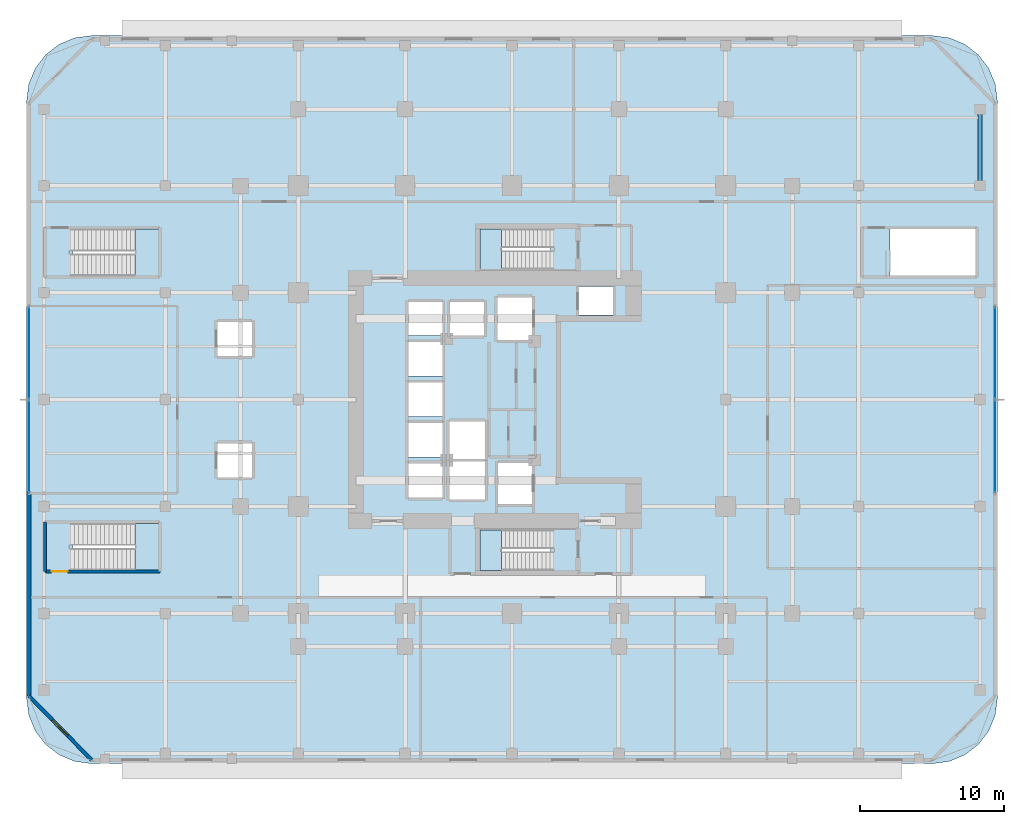
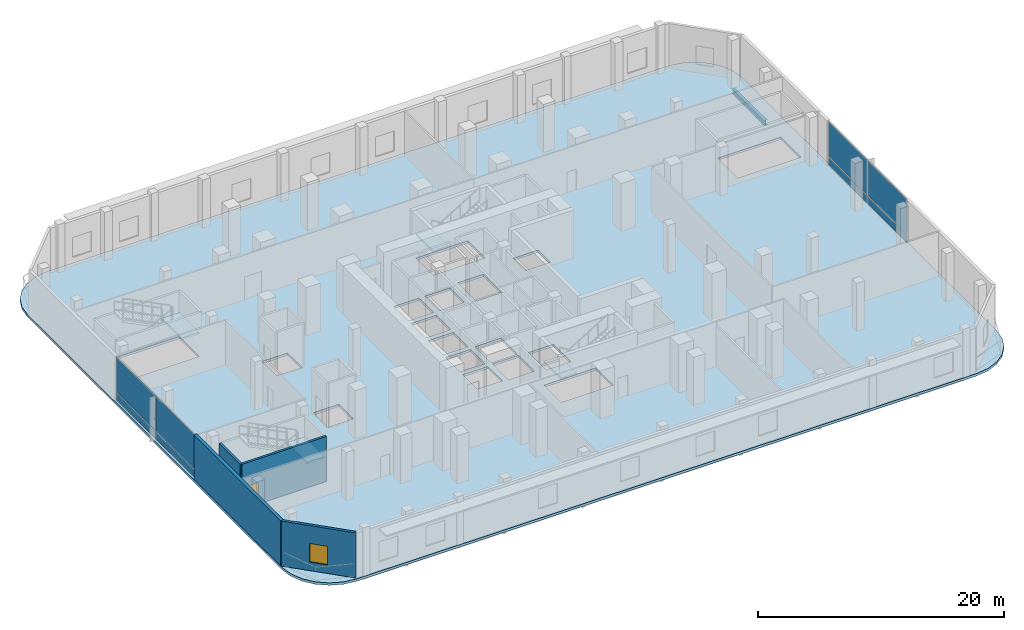
# One storey, part 7 of 19: 8 plates, 5 slabs, 4 walls, 1 beam, 1 door, 1 window, 2 openings, 6 elements without a shape of their own.
"""IFC4 building model written with IfcOpenShell, lengths in metres."""

from ifc_helpers import new_model, si_unit, direction, frame, frame_2d, origin, origin_2d, place, context, subcontext, project, spatial, polyline, rectangle, i_section, outline, extrude, material, layer, layer_set, material_profile, profile_set, type_object, element, fill, aggregate, save


model = new_model("IFC4")

# Units and contexts
model_context = context("Model", 3, precision=1e-05, world=origin(), true_north=direction((0.0, 1.0)))
body_context = subcontext(model_context, "Body", "Model", "MODEL_VIEW")
ifc_project = project(units=[si_unit("LENGTHUNIT", "METRE"), si_unit("AREAUNIT", "SQUARE_METRE"), si_unit("VOLUMEUNIT", "CUBIC_METRE"), si_unit("PLANEANGLEUNIT", "RADIAN"), si_unit("MASSUNIT", "GRAM", prefix="KILO")], contexts=[model_context])

# Site, building, storey
site_placement = place(None, origin())
site = spatial("IfcSite", under=ifc_project, at=site_placement, CompositionType="ELEMENT")
building_placement = place(site_placement, origin())
building = spatial("IfcBuilding", under=site, at=building_placement, Name="Khorvyn Point Tower", CompositionType="ELEMENT")
storey_placement = place(building_placement, frame((0.0, 0.0, 21.60009765625)))
storey = spatial("IfcBuildingStorey", under=building, at=storey_placement, Name="L06", CompositionType="ELEMENT", Elevation=21.60009765625)

# Beam
ifc_material_1 = material(Name="Steel S355", Category="steel")
ifc_material_profile = material_profile(ifc_material_1, i_section(OverallWidth=0.300048828125, OverallDepth=0.488037109375, WebThickness=0.010986328125, FlangeThickness=0.01806640625, at=origin_2d()))
ifc_profile_set = profile_set([ifc_material_profile], Name="Steel S355 H488x300x11x18")
beam_type = type_object("IfcBeamType", Name="Steel S355 Spandrel H488x300x11x18", PredefinedType="SPANDREL", material=ifc_profile_set)
beam_placement = place(storey_placement, frame((32.39990234375, 14.800048828125, -0.484130859375), z_axis=(0.0, 1.0, 0.0), x_axis=(-1.0, 0.0, 0.0)))
element("IfcBeam", 1, at=beam_placement, inside=storey, type_object=beam_type, Name="Beam", PredefinedType="SPANDREL", context=body_context, shape_type="SweptSolid", body=[
    extrude(i_section(OverallWidth=0.300048828125, OverallDepth=0.488037109375, WebThickness=0.010986328125, FlangeThickness=0.01806640625, at=origin_2d()), origin(), (0.0, 0.0, 1.0), 5.300048828125),
])

# Slab
ifc_material_2 = material(Name="Concrete C35/45", Category="concrete")
ifc_layer_1 = layer(ifc_material_2, 0.239990234375)
ifc_layer_set_1 = layer_set([ifc_layer_1], Name="Concrete C35/45 Structural Floor Slab 240")
slab_type_1 = type_object("IfcSlabType", Name="Concrete C35/45 Structural Floor Slab 240", PredefinedType="FLOOR", material=ifc_layer_set_1)
slab_1_placement = place(storey_placement, frame((0.0, 0.0, -0.239990234375)))
element("IfcSlab", 2, at=slab_1_placement, inside=storey, type_object=slab_type_1, Name="L06 Main Structural Floor Slab", PredefinedType="FLOOR", context=body_context, shape_type="SweptSolid", body=[
    extrude(outline(polyline([(-29.10009765625, -25.199951171875), (-30.2646484375, -25.046630859375), (-31.35009765625, -24.59716796875), (-32.281982421875, -23.882080078125), (-32.9970703125, -22.949951171875), (-33.44677734375, -21.86474609375), (-33.60009765625, -20.699951171875), (-33.60009765625, 20.699951171875), (-33.44677734375, 21.86474609375), (-32.9970703125, 22.949951171875), (-32.281982421875, 23.882080078125), (-31.35009765625, 24.59716796875), (-30.2646484375, 25.046630859375), (-29.10009765625, 25.199951171875), (29.10009765625, 25.199951171875), (30.2646484375, 25.046630859375), (31.35009765625, 24.59716796875), (32.281982421875, 23.882080078125), (32.9970703125, 22.949951171875), (33.44677734375, 21.86474609375), (33.60009765625, 20.699951171875), (33.60009765625, -20.699951171875), (33.44677734375, -21.86474609375), (32.9970703125, -22.949951171875), (32.281982421875, -23.882080078125), (31.35009765625, -24.59716796875), (30.2646484375, -25.046630859375), (29.10009765625, -25.199951171875), (-29.10009765625, -25.199951171875)]), holes=[polyline([(-30.3798828125, -11.820068359375), (-24.449951171875, -11.820068359375), (-24.449951171875, -8.56005859375), (-30.3798828125, -8.56005859375), (-30.3798828125, -11.820068359375)]), polyline([(-7.175048828125, -6.77490234375), (-4.824951171875, -6.77490234375), (-4.824951171875, -4.425048828125), (-7.175048828125, -4.425048828125), (-7.175048828125, -6.77490234375)]), polyline([(-20.39990234375, -5.375), (-18.0, -5.375), (-18.0, -3.02490234375), (-20.39990234375, -3.02490234375), (-20.39990234375, -5.375)]), polyline([(-7.175048828125, -3.97509765625), (-4.824951171875, -3.97509765625), (-4.824951171875, -1.625), (-7.175048828125, -1.625), (-7.175048828125, -3.97509765625)]), polyline([(-7.175048828125, -1.175048828125), (-4.824951171875, -1.175048828125), (-4.824951171875, 1.175048828125), (-7.175048828125, 1.175048828125), (-7.175048828125, -1.175048828125)]), polyline([(-7.175048828125, 1.625), (-4.824951171875, 1.625), (-4.824951171875, 3.97509765625), (-7.175048828125, 3.97509765625), (-7.175048828125, 1.625)]), polyline([(-20.39990234375, 3.02490234375), (-18.0, 3.02490234375), (-18.0, 5.375), (-20.39990234375, 5.375), (-20.39990234375, 3.02490234375)]), polyline([(-7.175048828125, 6.77490234375), (-7.175048828125, 4.425048828125), (-4.824951171875, 4.425048828125), (-4.824951171875, 6.77490234375), (-7.175048828125, 6.77490234375)]), polyline([(-30.3798828125, 11.820068359375), (-30.3798828125, 8.56005859375), (-24.449951171875, 8.56005859375), (-24.449951171875, 11.820068359375), (-30.3798828125, 11.820068359375)]), polyline([(-2.199951171875, -11.820068359375), (2.679931640625, -11.820068359375), (2.679931640625, -9.02001953125), (-2.199951171875, -9.02001953125), (-2.199951171875, -11.820068359375)]), polyline([(-0.97509765625, -7.22509765625), (1.375, -7.22509765625), (1.375, -4.375), (-0.97509765625, -4.375), (-0.97509765625, -7.22509765625)]), polyline([(-4.324951171875, -6.89990234375), (-1.875, -6.89990234375), (-1.875, -4.300048828125), (-4.324951171875, -4.300048828125), (-4.324951171875, -6.89990234375)]), polyline([(-4.324951171875, -4.10009765625), (-1.875, -4.10009765625), (-1.875, -1.5), (-4.324951171875, -1.5), (-4.324951171875, -4.10009765625)]), polyline([(-4.27490234375, 4.425048828125), (-1.925048828125, 4.425048828125), (-1.925048828125, 6.77490234375), (-4.27490234375, 6.77490234375), (-4.27490234375, 4.425048828125)]), polyline([(-1.0, 4.125), (1.39990234375, 4.125), (1.39990234375, 7.074951171875), (-1.0, 7.074951171875), (-1.0, 4.125)]), polyline([(4.625, 5.85009765625), (6.97509765625, 5.85009765625), (6.97509765625, 7.830078125), (4.625, 7.830078125), (4.625, 5.85009765625)]), polyline([(26.169921875, 11.820068359375), (26.169921875, 8.56005859375), (32.10009765625, 8.56005859375), (32.10009765625, 11.820068359375), (26.169921875, 11.820068359375)]), polyline([(-2.199951171875, 11.820068359375), (-2.199951171875, 9.02001953125), (2.679931640625, 9.02001953125), (2.679931640625, 11.820068359375), (-2.199951171875, 11.820068359375)])]), origin(), (0.0, 0.0, 1.0), 0.239990234375),
])

# Stair, slab
ifc_material_3 = material(Name="Concrete C40/50", Category="concrete")
stair_type_1 = type_object("IfcStairType", Name="Tower Concrete C40/50 Dogleg Exit Stair", PredefinedType="HALF_TURN_STAIR", material=ifc_material_3)
stair_1_placement = place(storey_placement, origin())
stair_1 = element("IfcStair", 3, at=stair_1_placement, inside=storey, type_object=stair_type_1, Name="L06 Tower Smokeproof Exit Stair South", PredefinedType="HALF_TURN_STAIR")
ifc_layer_2 = layer(ifc_material_3, 0.199951171875)
ifc_layer_set_2 = layer_set([ifc_layer_2], Name="Concrete C40/50 Stair Landing Slab 200")
slab_type_2 = type_object("IfcSlabType", Name="Concrete C40/50 Stair Landing Slab 200", PredefinedType="LANDING", material=ifc_layer_set_2)
slab_2_placement = place(storey_placement, frame((0.0, 0.0, 2.199951171875)))
slab_2 = element("IfcSlab", 4, at=slab_2_placement, type_object=slab_type_2, Name="ST-01 landing 1", PredefinedType="LANDING", context=body_context, shape_type="SweptSolid", body=[
    extrude(outline(polyline([(-0.739990234375, -9.02001953125), (-2.199951171875, -9.02001953125), (-2.199951171875, -11.820068359375), (-0.739990234375, -11.820068359375), (-0.739990234375, -9.02001953125)])), origin(), (0.0, 0.0, 1.0), 0.199951171875),
])
aggregate(stair_1, [slab_2])

stair_2_placement = place(storey_placement, origin())
stair_2 = element("IfcStair", 5, at=stair_2_placement, inside=storey, type_object=stair_type_1, Name="L06 Tower Smokeproof Exit Stair North", PredefinedType="HALF_TURN_STAIR")
slab_3_placement = place(storey_placement, frame((0.0, 0.0, 2.199951171875)))
slab_3 = element("IfcSlab", 6, at=slab_3_placement, type_object=slab_type_2, Name="ST-02 landing 1", PredefinedType="LANDING", context=body_context, shape_type="SweptSolid", body=[
    extrude(outline(polyline([(-0.739990234375, 11.820068359375), (-2.199951171875, 11.820068359375), (-2.199951171875, 9.02001953125), (-0.739990234375, 9.02001953125), (-0.739990234375, 11.820068359375)])), origin(), (0.0, 0.0, 1.0), 0.199951171875),
])
aggregate(stair_2, [slab_3])

stair_type_2 = type_object("IfcStairType", Name="School Podium Concrete C40/50 Wide Exit Stair", PredefinedType="HALF_TURN_STAIR", material=ifc_material_3)
stair_3_placement = place(storey_placement, origin())
stair_3 = element("IfcStair", 7, at=stair_3_placement, inside=storey, type_object=stair_type_2, Name="L06 School Podium Smokeproof Stair Southwest", PredefinedType="HALF_TURN_STAIR")
slab_4_placement = place(storey_placement, frame((0.0, 0.0, 2.199951171875)))
slab_4 = element("IfcSlab", 8, at=slab_4_placement, type_object=slab_type_2, Name="ST-S1 landing 1", PredefinedType="LANDING", context=body_context, shape_type="SweptSolid", body=[
    extrude(outline(polyline([(-26.10009765625, -11.820068359375), (-24.449951171875, -11.820068359375), (-24.449951171875, -8.56005859375), (-26.10009765625, -8.56005859375), (-26.10009765625, -11.820068359375)])), origin(), (0.0, 0.0, 1.0), 0.199951171875),
])
aggregate(stair_3, [slab_4])

stair_4_placement = place(storey_placement, origin())
stair_4 = element("IfcStair", 9, at=stair_4_placement, inside=storey, type_object=stair_type_2, Name="L06 School Podium Smokeproof Stair Northwest", PredefinedType="HALF_TURN_STAIR")
slab_5_placement = place(storey_placement, frame((0.0, 0.0, 2.199951171875)))
slab_5 = element("IfcSlab", 10, at=slab_5_placement, type_object=slab_type_2, Name="ST-S2 landing 1", PredefinedType="LANDING", context=body_context, shape_type="SweptSolid", body=[
    extrude(outline(polyline([(-26.10009765625, 8.56005859375), (-24.449951171875, 8.56005859375), (-24.449951171875, 11.820068359375), (-26.10009765625, 11.820068359375), (-26.10009765625, 8.56005859375)])), origin(), (0.0, 0.0, 1.0), 0.199951171875),
])
aggregate(stair_4, [slab_5])

# Curtain wall, plates
ifc_material_4 = material(Name="Anodised aluminium 6063-T6 and laminated Low-E glass", Category="aluminium")
ifc_layer_3 = layer(ifc_material_4, 0.18994140625)
ifc_layer_set_3 = layer_set([ifc_layer_3], Name="Stick-Built Low-E Podium Curtain Wall CW-SYS-01")
curtain_wall_type = type_object("IfcCurtainWallType", Name="Stick-Built Low-E Podium Curtain Wall CW-SYS-01", PredefinedType="NOTDEFINED", material=ifc_layer_set_3)
curtain_wall_1_placement = place(storey_placement, origin())
curtain_wall_1 = element("IfcCurtainWall", 11, at=curtain_wall_1_placement, inside=storey, type_object=curtain_wall_type, Name="Curtain Wall", PredefinedType="NOTDEFINED")
ifc_material_5 = material(Name="Pale anodised aluminium 5005", Category="aluminium")
ifc_layer_4 = layer(ifc_material_5, 0.0400390625)
ifc_layer_set_4 = layer_set([ifc_layer_4], Name="Pale Champagne Aluminium Insulated Spandrel Panel CW-SP40")
plate_type_1 = type_object("IfcPlateType", Name="Pale Champagne Aluminium Insulated Spandrel Panel CW-SP40", PredefinedType="SHEET", material=ifc_layer_set_4)
plate_1_placement = place(storey_placement, frame((-33.449951171875, -3.22509765625, 0.099853515625), z_axis=(0.0, 0.0, 1.0), x_axis=(0.0, 1.0, 0.0)))
plate_1 = element("IfcPlate", 12, at=plate_1_placement, type_object=plate_type_1, Name="Panel", PredefinedType="SHEET", context=body_context, shape_type="SweptSolid", body=[
    extrude(rectangle(XDim=6.35009765625, YDim=0.0400390625, at=origin_2d()), origin(), (0.0, 0.0, 1.0), 0.75),
])
plate_2_placement = place(storey_placement, frame((-33.449951171875, 3.22509765625, 0.099853515625), z_axis=(0.0, 0.0, 1.0), x_axis=(0.0, 1.0, 0.0)))
plate_2 = element("IfcPlate", 13, at=plate_2_placement, type_object=plate_type_1, Name="Panel", PredefinedType="SHEET", context=body_context, shape_type="SweptSolid", body=[
    extrude(rectangle(XDim=6.35009765625, YDim=0.0400390625, at=origin_2d()), origin(), (0.0, 0.0, 1.0), 0.75),
])

curtain_wall_2_placement = place(storey_placement, origin())
curtain_wall_2 = element("IfcCurtainWall", 14, at=curtain_wall_2_placement, inside=storey, type_object=curtain_wall_type, Name="Curtain Wall", PredefinedType="NOTDEFINED")
plate_3_placement = place(storey_placement, frame((33.449951171875, -3.22509765625, 0.099853515625), z_axis=(0.0, 0.0, 1.0), x_axis=(0.0, 1.0, 0.0)))
plate_3 = element("IfcPlate", 15, at=plate_3_placement, type_object=plate_type_1, Name="Panel", PredefinedType="SHEET", context=body_context, shape_type="SweptSolid", body=[
    extrude(rectangle(XDim=6.35009765625, YDim=0.0400390625, at=origin_2d()), origin(), (0.0, 0.0, 1.0), 0.75),
])
plate_4_placement = place(storey_placement, frame((33.449951171875, 3.22509765625, 0.099853515625), z_axis=(0.0, 0.0, 1.0), x_axis=(0.0, 1.0, 0.0)))
plate_4 = element("IfcPlate", 16, at=plate_4_placement, type_object=plate_type_1, Name="Panel", PredefinedType="SHEET", context=body_context, shape_type="SweptSolid", body=[
    extrude(rectangle(XDim=6.35009765625, YDim=0.0400390625, at=origin_2d()), origin(), (0.0, 0.0, 1.0), 0.75),
])

# Plate
ifc_material_6 = material(Name="Laminated Low-E insulated glass", Category="glass")
ifc_layer_5 = layer(ifc_material_6, 0.028076171875)
ifc_layer_set_5 = layer_set([ifc_layer_5], Name="Tempered Low-E Vision Glazing Panel CW-GL28")
plate_type_2 = type_object("IfcPlateType", Name="Tempered Low-E Vision Glazing Panel CW-GL28", PredefinedType="CURTAIN_PANEL", material=ifc_layer_set_5)
plate_5_placement = place(storey_placement, frame((-33.449951171875, -3.22509765625, 0.94970703125), z_axis=(0.0, 0.0, 1.0), x_axis=(0.0, 1.0, 0.0)))
plate_5 = element("IfcPlate", 17, at=plate_5_placement, type_object=plate_type_2, Name="Panel", PredefinedType="CURTAIN_PANEL", context=body_context, shape_type="SweptSolid", body=[
    extrude(rectangle(XDim=6.35009765625, YDim=0.028076171875, at=origin_2d()), origin(), (0.0, 0.0, 1.0), 3.429931640625),
])

plate_6_placement = place(storey_placement, frame((-33.449951171875, 3.22509765625, 0.94970703125), z_axis=(0.0, 0.0, 1.0), x_axis=(0.0, 1.0, 0.0)))
plate_6 = element("IfcPlate", 18, at=plate_6_placement, type_object=plate_type_2, Name="Panel", PredefinedType="CURTAIN_PANEL", context=body_context, shape_type="SweptSolid", body=[
    extrude(rectangle(XDim=6.35009765625, YDim=0.028076171875, at=origin_2d()), origin(), (0.0, 0.0, 1.0), 3.429931640625),
])

aggregate(curtain_wall_1, [plate_1, plate_5, plate_2, plate_6])

plate_7_placement = place(storey_placement, frame((33.449951171875, -3.22509765625, 0.94970703125), z_axis=(0.0, 0.0, 1.0), x_axis=(0.0, 1.0, 0.0)))
plate_7 = element("IfcPlate", 19, at=plate_7_placement, type_object=plate_type_2, Name="Panel", PredefinedType="CURTAIN_PANEL", context=body_context, shape_type="SweptSolid", body=[
    extrude(rectangle(XDim=6.35009765625, YDim=0.028076171875, at=origin_2d()), origin(), (0.0, 0.0, 1.0), 3.429931640625),
])

plate_8_placement = place(storey_placement, frame((33.449951171875, 3.22509765625, 0.94970703125), z_axis=(0.0, 0.0, 1.0), x_axis=(0.0, 1.0, 0.0)))
plate_8 = element("IfcPlate", 20, at=plate_8_placement, type_object=plate_type_2, Name="Panel", PredefinedType="CURTAIN_PANEL", context=body_context, shape_type="SweptSolid", body=[
    extrude(rectangle(XDim=6.35009765625, YDim=0.028076171875, at=origin_2d()), origin(), (0.0, 0.0, 1.0), 3.429931640625),
])

aggregate(curtain_wall_2, [plate_3, plate_7, plate_4, plate_8])

# Wall, opening, window
ifc_material_7 = material(Name="Pale anodised aluminium rainscreen on steel stud", Category="steel")
ifc_layer_6 = layer(ifc_material_7, 0.239990234375)
ifc_layer_set_6 = layer_set([ifc_layer_6], Name="Anodised Aluminium Insulated Corner Spandrel Wall 240")
wall_type_1 = type_object("IfcWallType", Name="Anodised Aluminium Insulated Corner Spandrel Wall 240", PredefinedType="SOLIDWALL", material=ifc_layer_set_6)
wall_1_placement = place(storey_placement, frame((-29.10009765625, -24.949951171875, 0.0), z_axis=(0.0, 0.0, 1.0), x_axis=(-0.69901822973, 0.715103848756, 0.0)))
wall_1 = element("IfcWall", 21, at=wall_1_placement, inside=storey, type_object=wall_type_1, Name="L06 Rounded Corner Wall SW", PredefinedType="SOLIDWALL", context=body_context, shape_type="SweptSolid", body=[
    extrude(rectangle(XDim=6.222900390625, YDim=0.239990234375, at=frame_2d((3.111328125, 0.0))), origin(), (0.0, 0.0, 1.0), 4.47998046875),
])
opening_1_placement = place(wall_1_placement, frame((2.361572265625, 0.0, 0.85009765625)))
opening_1 = element("IfcOpeningElement", 22, at=opening_1_placement, cuts=wall_1, Name="Opening WN-1518", PredefinedType="OPENING", context=body_context, shape_type="SweptSolid", body=[
    extrude(rectangle(XDim=1.5, YDim=1.85009765625, at=frame_2d((0.75, 0.925048828125))), frame((0.0, 0.1298828125, 0.0), z_axis=(0.0, -1.0, 0.0), x_axis=(1.0, 0.0, 0.0)), (0.0, 0.0, 1.0), 0.260009765625),
])
window_type = type_object("IfcWindowType", Name="Anodised Aluminium Rounded-Corner Panoramic Window 1500x1850", PartitioningType="SINGLE_PANEL", PredefinedType="WINDOW", material=ifc_material_4)
window_placement = place(opening_1_placement, origin())
window = element("IfcWindow", 23, at=window_placement, inside=storey, type_object=window_type, Name="L06 Corner Window SW", OverallHeight=1.85009765625, OverallWidth=1.5, PartitioningType="SINGLE_PANEL", PredefinedType="WINDOW", context=body_context, shape_type="SweptSolid", body=[
    extrude(rectangle(XDim=1.5, YDim=1.85009765625, at=frame_2d((0.75, 0.925048828125))), frame((0.0, 0.030029296875, 0.0), z_axis=(0.0, -1.0, 0.0), x_axis=(1.0, 0.0, 0.0)), (0.0, 0.0, 1.0), 0.06005859375),
])
fill(opening_1, window)

# Wall
ifc_layer_7 = layer(ifc_material_3, 0.199951171875)
ifc_layer_set_7 = layer_set([ifc_layer_7], Name="Concrete C40/50 Structural Hoistway and Stair Shaft Wall 200")
wall_type_2 = type_object("IfcWallType", Name="Concrete C40/50 Structural Hoistway and Stair Shaft Wall 200", PredefinedType="SHEAR", material=ifc_layer_set_7)
wall_2_placement = place(storey_placement, frame((-32.330078125, -11.89990234375, 0.0), z_axis=(0.0, 0.0, 1.0), x_axis=(0.0, 1.0, 0.0)))
element("IfcWall", 24, at=wall_2_placement, inside=storey, type_object=wall_type_2, Name="Wall", PredefinedType="SHEAR", context=body_context, shape_type="SweptSolid", body=[
    extrude(rectangle(XDim=3.419921875, YDim=0.199951171875, at=frame_2d((1.7099609375, 0.0))), origin(), (0.0, 0.0, 1.0), 4.47998046875),
])

# Wall, opening, door
wall_3_placement = place(storey_placement, frame((-24.3701171875, -11.89990234375, 0.0), z_axis=(0.0, 0.0, 1.0), x_axis=(-1.0, 0.0, 0.0)))
wall_3 = element("IfcWall", 25, at=wall_3_placement, inside=storey, type_object=wall_type_2, Name="Wall", PredefinedType="SHEAR", context=body_context, shape_type="SweptSolid", body=[
    extrude(rectangle(XDim=7.9599609375, YDim=0.199951171875, at=frame_2d((3.97998046875, 0.0))), origin(), (0.0, 0.0, 1.0), 4.47998046875),
])
opening_2_placement = place(wall_3_placement, frame((6.39990234375, 0.0, 0.0)))
opening_2 = element("IfcOpeningElement", 26, at=opening_2_placement, cuts=wall_3, Name="Opening ID-FL90", PredefinedType="OPENING", context=body_context, shape_type="SweptSolid", body=[
    extrude(rectangle(XDim=1.10009765625, YDim=2.14990234375, at=frame_2d((0.550048828125, 1.074951171875))), frame((0.0, 0.10986328125, 0.0), z_axis=(0.0, -1.0, 0.0), x_axis=(1.0, 0.0, 0.0)), (0.0, 0.0, 1.0), 0.219970703125),
])
ifc_material_8 = material(Name="Galvanised powder-coated steel", Category="steel")
door_type = type_object("IfcDoorType", Name="Fire-Rated Steel Lobby and Stair Door 1100x2150", OperationType="NOTDEFINED", PredefinedType="DOOR", material=ifc_material_8)
door_placement = place(opening_2_placement, origin())
door = element("IfcDoor", 27, at=door_placement, inside=storey, type_object=door_type, Name="L06 ST-S1 Smokeproof Landing Door", OperationType="SINGLE_SWING_LEFT", OverallHeight=2.14990234375, OverallWidth=1.10009765625, PredefinedType="DOOR", context=body_context, shape_type="SweptSolid", body=[
    extrude(rectangle(XDim=1.10009765625, YDim=2.14990234375, at=frame_2d((0.550048828125, 1.074951171875))), frame((0.0, 0.02490234375, 0.0), z_axis=(0.0, -1.0, 0.0), x_axis=(1.0, 0.0, 0.0)), (0.0, 0.0, 1.0), 0.050048828125),
])
fill(opening_2, door)

# Wall
ifc_material_9 = material(Name="Precast concrete C35/45", Category="concrete")
ifc_layer_8 = layer(ifc_material_9, 0.300048828125)
ifc_layer_set_8 = layer_set([ifc_layer_8], Name="Precast Concrete C35/45 Insulated Podium Facade Wall 300")
wall_type_3 = type_object("IfcWallType", Name="Precast Concrete C35/45 Insulated Podium Facade Wall 300", PredefinedType="SOLIDWALL", material=ifc_layer_set_8)
wall_4_placement = place(storey_placement, frame((-33.449951171875, -20.5, 0.0), z_axis=(0.0, 0.0, 1.0), x_axis=(0.0, 1.0, 0.0)))
element("IfcWall", 28, at=wall_4_placement, inside=storey, type_object=wall_type_3, Name="Wall", PredefinedType="SOLIDWALL", context=body_context, shape_type="SweptSolid", body=[
    extrude(rectangle(XDim=14.090087890625, YDim=0.300048828125, at=frame_2d((7.044921875, 0.0))), origin(), (0.0, 0.0, 1.0), 4.47998046875),
])

save(model, "model.ifc")
